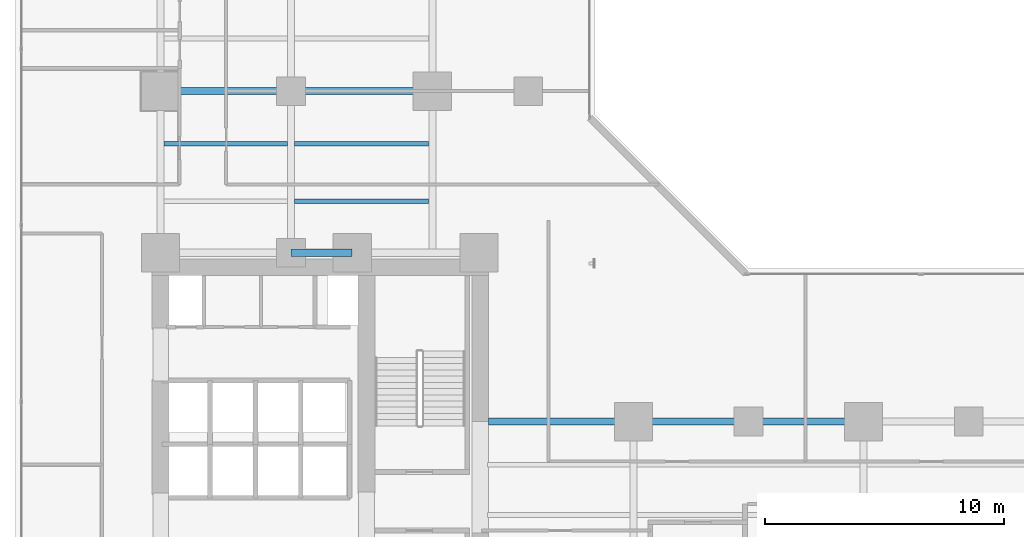
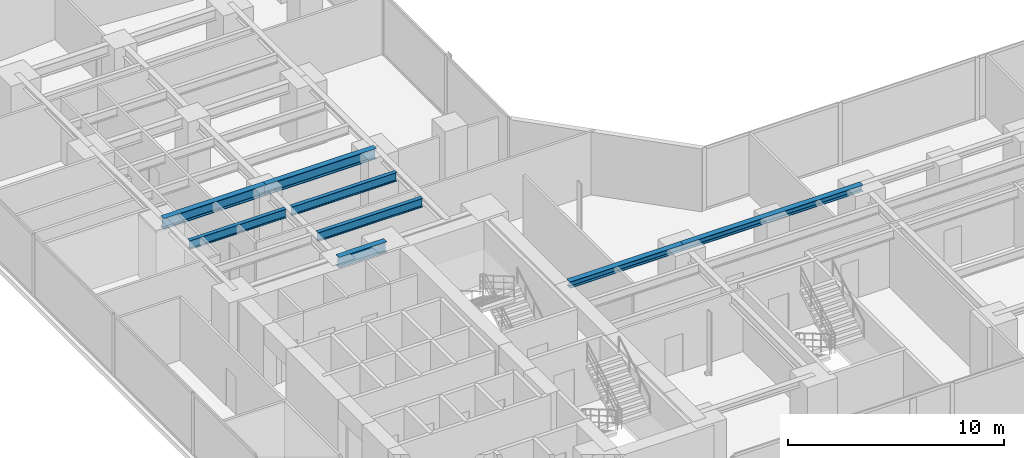
# One storey, part 7 of 30: 8 beams.
"""IFC4 building model written with IfcOpenShell, lengths in metres."""

from ifc_helpers import new_model, si_unit, direction, frame, origin, origin_2d, place, context, subcontext, project, spatial, i_section, extrude, material, material_profile, profile_set, type_object, element, save


model = new_model("IFC4")

# Units and contexts
model_context = context("Model", 3, precision=1e-05, world=origin(), true_north=direction((0.0, 1.0)))
body_context = subcontext(model_context, "Body", "Model", "MODEL_VIEW")
ifc_project = project(units=[si_unit("LENGTHUNIT", "METRE"), si_unit("AREAUNIT", "SQUARE_METRE"), si_unit("VOLUMEUNIT", "CUBIC_METRE"), si_unit("PLANEANGLEUNIT", "RADIAN"), si_unit("MASSUNIT", "GRAM", prefix="KILO")], contexts=[model_context])

# Site, building, storey
site_placement = place(None, origin())
site = spatial("IfcSite", under=ifc_project, at=site_placement, CompositionType="ELEMENT")
building_placement = place(site_placement, origin())
building = spatial("IfcBuilding", under=site, at=building_placement, Name="Kolvaren Waterfront Exchange", CompositionType="ELEMENT")
storey_placement = place(building_placement, frame((0.0, 0.0, 71.39990234375)))
storey = spatial("IfcBuildingStorey", under=building, at=storey_placement, Name="L18", CompositionType="ELEMENT", Elevation=71.39990234375)

# Beams
ifc_material = material(Name="Steel S355", Category="steel")
ifc_material_profile_1 = material_profile(ifc_material, i_section(OverallWidth=0.300048828125, OverallDepth=0.360107421875, WebThickness=0.012451171875, FlangeThickness=0.0224609375, FilletRadius=0.027099609375, at=origin_2d()), Name="HEB360")
ifc_profile_set_1 = profile_set([ifc_material_profile_1], Name="Steel S355")
beam_type_1 = type_object("IfcBeamType", Name="STR-BM-HEB360", PredefinedType="SPANDREL", material=ifc_profile_set_1)
beam_1_placement = place(storey_placement, frame((21.14990234375, 17.39990234375, 3.360107421875), z_axis=(1.0, 0.0, 0.0), x_axis=(0.0, 1.0, 0.0)))
element("IfcBeam", 1, at=beam_1_placement, inside=storey, type_object=beam_type_1, Name="L18 east-arm spandrel N1", PredefinedType="SPANDREL", context=body_context, shape_type="SweptSolid", body=[
    extrude(i_section(OverallWidth=0.300048828125, OverallDepth=0.360107421875, WebThickness=0.012451171875, FlangeThickness=0.0224609375, FilletRadius=0.027099609375, at=origin_2d()), origin(), (0.0, 0.0, 1.0), 6.050048828125),
])
beam_2_placement = place(storey_placement, frame((27.199951171875, 17.39990234375, 3.360107421875), z_axis=(1.0, 0.0, 0.0), x_axis=(0.0, 1.0, 0.0)))
element("IfcBeam", 2, at=beam_2_placement, inside=storey, type_object=beam_type_1, Name="L18 east-arm spandrel N2", PredefinedType="SPANDREL", context=body_context, shape_type="SweptSolid", body=[
    extrude(i_section(OverallWidth=0.300048828125, OverallDepth=0.360107421875, WebThickness=0.012451171875, FlangeThickness=0.0224609375, FilletRadius=0.027099609375, at=origin_2d()), origin(), (0.0, 0.0, 1.0), 9.60009765625),
])
ifc_material_profile_2 = material_profile(ifc_material, i_section(OverallWidth=0.300048828125, OverallDepth=0.60009765625, WebThickness=0.015380859375, FlangeThickness=0.030029296875, FilletRadius=0.027099609375, at=origin_2d()), Name="HEB600")
ifc_profile_set_2 = profile_set([ifc_material_profile_2], Name="Steel S355")
beam_type_2 = type_object("IfcBeamType", Name="STR-BM-HEB600", PredefinedType="BEAM", material=ifc_profile_set_2)
beam_3_placement = place(storey_placement, frame((12.89990234375, 24.449951171875, 3.239990234375), z_axis=(1.0, 0.0, 0.0), x_axis=(0.0, 1.0, 0.0)))
element("IfcBeam", 3, at=beam_3_placement, inside=storey, type_object=beam_type_2, Name="L18 north-arm girder 1B", PredefinedType="BEAM", context=body_context, shape_type="SweptSolid", body=[
    extrude(i_section(OverallWidth=0.300048828125, OverallDepth=0.60009765625, WebThickness=0.015380859375, FlangeThickness=0.030029296875, FilletRadius=0.027099609375, at=origin_2d()), origin(), (0.0, 0.0, 1.0), 2.550048828125),
])
beam_4_placement = place(storey_placement, frame((7.449951171875, 31.199951171875, 3.239990234375), z_axis=(1.0, 0.0, 0.0), x_axis=(0.0, 1.0, 0.0)))
element("IfcBeam", 4, at=beam_4_placement, inside=storey, type_object=beam_type_2, Name="L18 north-arm girder 2A", PredefinedType="BEAM", context=body_context, shape_type="SweptSolid", body=[
    extrude(i_section(OverallWidth=0.300048828125, OverallDepth=0.60009765625, WebThickness=0.015380859375, FlangeThickness=0.030029296875, FilletRadius=0.027099609375, at=origin_2d()), origin(), (0.0, 0.0, 1.0), 5.449951171875),
])
beam_5_placement = place(storey_placement, frame((12.89990234375, 31.199951171875, 3.239990234375), z_axis=(1.0, 0.0, 0.0), x_axis=(0.0, 1.0, 0.0)))
element("IfcBeam", 5, at=beam_5_placement, inside=storey, type_object=beam_type_2, Name="L18 north-arm girder 2B", PredefinedType="BEAM", context=body_context, shape_type="SweptSolid", body=[
    extrude(i_section(OverallWidth=0.300048828125, OverallDepth=0.60009765625, WebThickness=0.015380859375, FlangeThickness=0.030029296875, FilletRadius=0.027099609375, at=origin_2d()), origin(), (0.0, 0.0, 1.0), 5.900146484375),
])
ifc_material_profile_3 = material_profile(ifc_material, i_section(OverallWidth=0.199951171875, OverallDepth=0.5, WebThickness=0.01025390625, FlangeThickness=0.01611328125, FilletRadius=0.02099609375, at=origin_2d()), Name="IPE500")
ifc_profile_set_3 = profile_set([ifc_material_profile_3], Name="Steel S355")
beam_type_3 = type_object("IfcBeamType", Name="STR-BM-IPE500", PredefinedType="JOIST", material=ifc_profile_set_3)
beam_6_placement = place(storey_placement, frame((13.052001953125, 26.60009765625, 3.2900390625), z_axis=(1.0, 0.0, 0.0), x_axis=(0.0, 1.0, 0.0)))
element("IfcBeam", 6, at=beam_6_placement, inside=storey, type_object=beam_type_3, Name="L18 north-arm composite joist 1B", PredefinedType="JOIST", context=body_context, shape_type="SweptSolid", body=[
    extrude(i_section(OverallWidth=0.199951171875, OverallDepth=0.5, WebThickness=0.01025390625, FlangeThickness=0.01611328125, FilletRadius=0.02099609375, at=origin_2d()), origin(), (0.0, 0.0, 1.0), 5.595947265625),
])
beam_7_placement = place(storey_placement, frame((7.60205078125, 29.0, 3.2900390625), z_axis=(1.0, 0.0, 0.0), x_axis=(0.0, 1.0, 0.0)))
element("IfcBeam", 7, at=beam_7_placement, inside=storey, type_object=beam_type_3, Name="L18 north-arm composite joist 2A", PredefinedType="JOIST", context=body_context, shape_type="SweptSolid", body=[
    extrude(i_section(OverallWidth=0.199951171875, OverallDepth=0.5, WebThickness=0.01025390625, FlangeThickness=0.01611328125, FilletRadius=0.02099609375, at=origin_2d()), origin(), (0.0, 0.0, 1.0), 5.14599609375),
])
beam_8_placement = place(storey_placement, frame((13.052001953125, 29.0, 3.2900390625), z_axis=(1.0, 0.0, 0.0), x_axis=(0.0, 1.0, 0.0)))
element("IfcBeam", 8, at=beam_8_placement, inside=storey, type_object=beam_type_3, Name="L18 north-arm composite joist 2B", PredefinedType="JOIST", context=body_context, shape_type="SweptSolid", body=[
    extrude(i_section(OverallWidth=0.199951171875, OverallDepth=0.5, WebThickness=0.01025390625, FlangeThickness=0.01611328125, FilletRadius=0.02099609375, at=origin_2d()), origin(), (0.0, 0.0, 1.0), 5.595947265625),
])

save(model, "model.ifc")
